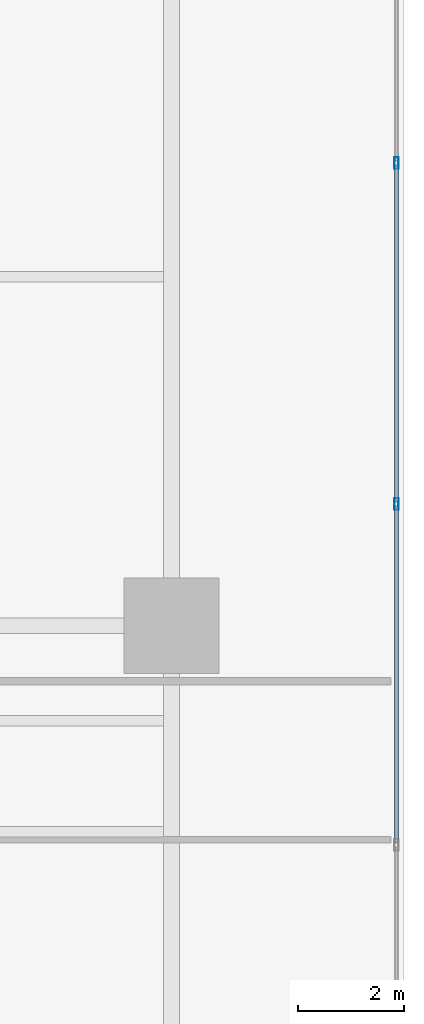
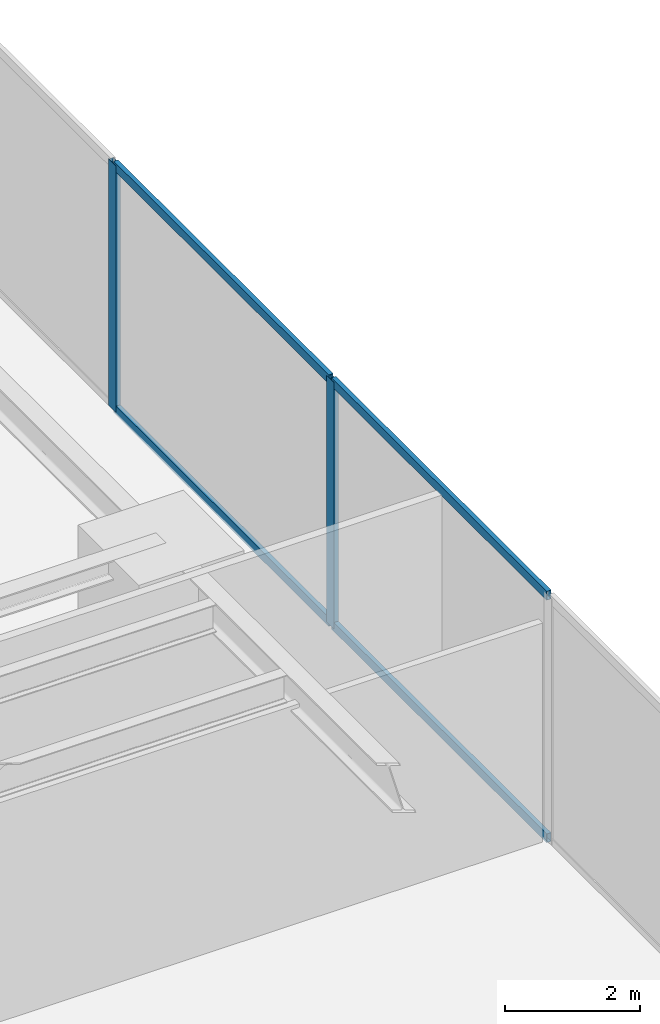
# One storey, part 9 of 16: 6 members, 1 element without a shape of its own.
"""IFC4 building model written with IfcOpenShell, lengths in metres."""

from ifc_helpers import new_model, si_unit, direction, frame, origin, origin_with_axes, origin_2d, place, context, subcontext, project, spatial, hollow_rectangle, extrude, source, transform, mapped, material, layer, layer_set, material_profile, profile_set, type_object, element, aggregate, save


model = new_model("IFC4")

# Units and contexts
model_context = context("Model", 3, precision=1e-05, world=origin(), true_north=direction((0.0, 1.0)))
body_context = subcontext(model_context, "Body", "Model", "MODEL_VIEW")
ifc_project = project(units=[si_unit("LENGTHUNIT", "METRE"), si_unit("AREAUNIT", "SQUARE_METRE"), si_unit("VOLUMEUNIT", "CUBIC_METRE"), si_unit("PLANEANGLEUNIT", "RADIAN"), si_unit("MASSUNIT", "GRAM", prefix="KILO")], contexts=[model_context])

# Site, building, storey
site_placement = place(None, origin())
site = spatial("IfcSite", under=ifc_project, at=site_placement, CompositionType="ELEMENT")
building_placement = place(site_placement, origin())
building = spatial("IfcBuilding", under=site, at=building_placement, Name="Kolvaren Waterfront Exchange", CompositionType="ELEMENT")
storey_placement = place(building_placement, frame((0.0, 0.0, 20.0)))
storey = spatial("IfcBuildingStorey", under=building, at=storey_placement, Name="L05", CompositionType="ELEMENT", Elevation=20.0)

# Curtain wall, members
ifc_material_1 = material(Name="Anodised bronze aluminium 6063-T6", Category="aluminium")
ifc_layer = layer(ifc_material_1, 0.219970703125, Name="Anodised bronze aluminium 6063-T6")
ifc_layer_set = layer_set([ifc_layer], Name="Anodised bronze aluminium 6063-T6")
curtain_wall_type = type_object("IfcCurtainWallType", Name="ARC-CW-SYS4", PredefinedType="USERDEFINED", material=ifc_layer_set)
curtain_wall_placement = place(storey_placement, origin())
curtain_wall = element("IfcCurtainWall", 1, at=curtain_wall_placement, inside=storey, type_object=curtain_wall_type, Name="L05 stick curtain wall CW4 (CW-L05-E1)", ObjectType="STICK CURTAIN WALL", PredefinedType="USERDEFINED")
ifc_material_2 = material(Name="Anodised aluminium 6063-T6", Category="aluminium")
ifc_material_profile_1 = material_profile(ifc_material_2, hollow_rectangle(XDim=0.080078125, YDim=0.219970703125, WallThickness=0.0048828125, at=origin_2d()), Name="ALU-MUL-220x80x5")
ifc_profile_set_1 = profile_set([ifc_material_profile_1], Name="Anodised aluminium 6063-T6")
member_type_1 = type_object("IfcMemberType", Name="ARC-CWM-220", PredefinedType="MULLION", material=ifc_profile_set_1)
shared_shape_1 = source(origin_with_axes(), body_context, "Body", "SweptSolid", [
    extrude(hollow_rectangle(XDim=0.080078125, YDim=0.219970703125, WallThickness=0.0048828125, at=origin_2d()), origin(), (0.0, 0.0, 1.0), 4.4599609375),
])
member_1_placement = place(storey_placement, frame((64.659912109375, 19.705078125, 0.0), z_axis=(0.0, 0.0, 1.0), x_axis=(-1.0, 0.0, 0.0)))
member_1 = element("IfcMember", 2, at=member_1_placement, type_object=member_type_1, Name="CW4 mullion 4", PredefinedType="MULLION", context=body_context, shape_type="MappedRepresentation", body=[
    mapped(shared_shape_1, transform((0.0, 0.0, 0.0), x_axis=(1.0, 0.0, 0.0), y_axis=(0.0, 1.0, 0.0), z_axis=(0.0, 0.0, 1.0), scale=1.0)),
])
member_2_placement = place(storey_placement, frame((64.659912109375, 26.15673828125, 0.0), z_axis=(0.0, 0.0, 1.0), x_axis=(-1.0, 0.0, 0.0)))
member_2 = element("IfcMember", 3, at=member_2_placement, type_object=member_type_1, Name="CW4 mullion 5", PredefinedType="MULLION", context=body_context, shape_type="MappedRepresentation", body=[
    mapped(shared_shape_1, transform((0.0, 0.0, 0.0), x_axis=(1.0, 0.0, 0.0), y_axis=(0.0, 1.0, 0.0), z_axis=(0.0, 0.0, 1.0), scale=1.0)),
])
ifc_material_profile_2 = material_profile(ifc_material_2, hollow_rectangle(XDim=0.074951171875, YDim=0.159912109375, WallThickness=0.00439453125, at=origin_2d()), Name="ALU-TRN-160x75x4.5")
ifc_profile_set_2 = profile_set([ifc_material_profile_2], Name="Anodised aluminium 6063-T6")
member_type_2 = type_object("IfcMemberType", Name="ARC-CWT-160", PredefinedType="USERDEFINED", material=ifc_profile_set_2)
shared_shape_2 = source(origin_with_axes(), body_context, "Body", "SweptSolid", [
    extrude(hollow_rectangle(XDim=0.074951171875, YDim=0.159912109375, WallThickness=0.00439453125, at=origin_2d()), origin(), (0.0, 0.0, 1.0), 6.371826171875),
])
member_3_placement = place(storey_placement, frame((64.659912109375, 13.293212890625, 0.03759765625), z_axis=(0.0, 1.0, 0.0), x_axis=(-1.0, 0.0, 0.0)))
member_3 = element("IfcMember", 4, at=member_3_placement, type_object=member_type_2, Name="CW4 transom 3.1", ObjectType="TRANSOM", PredefinedType="USERDEFINED", context=body_context, shape_type="MappedRepresentation", body=[
    mapped(shared_shape_2, transform((0.0, 0.0, 0.0), x_axis=(1.0, 0.0, 0.0), y_axis=(0.0, 1.0, 0.0), z_axis=(0.0, 0.0, 1.0), scale=1.0)),
])
member_4_placement = place(storey_placement, frame((64.659912109375, 13.293212890625, 4.422607421875), z_axis=(0.0, 1.0, 0.0), x_axis=(-1.0, 0.0, 0.0)))
member_4 = element("IfcMember", 5, at=member_4_placement, type_object=member_type_2, Name="CW4 transom 3.2", ObjectType="TRANSOM", PredefinedType="USERDEFINED", context=body_context, shape_type="MappedRepresentation", body=[
    mapped(shared_shape_2, transform((0.0, 0.0, 0.0), x_axis=(1.0, 0.0, 0.0), y_axis=(0.0, 1.0, 0.0), z_axis=(0.0, 0.0, 1.0), scale=1.0)),
])
shared_shape_3 = source(origin_with_axes(), body_context, "Body", "SweptSolid", [
    extrude(hollow_rectangle(XDim=0.074951171875, YDim=0.159912109375, WallThickness=0.00439453125, at=origin_2d()), origin(), (0.0, 0.0, 1.0), 6.37158203125),
])
member_5_placement = place(storey_placement, frame((64.659912109375, 19.7451171875, 0.03759765625), z_axis=(0.0, 1.0, 0.0), x_axis=(-1.0, 0.0, 0.0)))
member_5 = element("IfcMember", 6, at=member_5_placement, type_object=member_type_2, Name="CW4 transom 4.1", ObjectType="TRANSOM", PredefinedType="USERDEFINED", context=body_context, shape_type="MappedRepresentation", body=[
    mapped(shared_shape_3, transform((0.0, 0.0, 0.0), x_axis=(1.0, 0.0, 0.0), y_axis=(0.0, 1.0, 0.0), z_axis=(0.0, 0.0, 1.0), scale=1.0)),
])
member_6_placement = place(storey_placement, frame((64.659912109375, 19.7451171875, 4.422607421875), z_axis=(0.0, 1.0, 0.0), x_axis=(-1.0, 0.0, 0.0)))
member_6 = element("IfcMember", 7, at=member_6_placement, type_object=member_type_2, Name="CW4 transom 4.2", ObjectType="TRANSOM", PredefinedType="USERDEFINED", context=body_context, shape_type="MappedRepresentation", body=[
    mapped(shared_shape_3, transform((0.0, 0.0, 0.0), x_axis=(1.0, 0.0, 0.0), y_axis=(0.0, 1.0, 0.0), z_axis=(0.0, 0.0, 1.0), scale=1.0)),
])
aggregate(curtain_wall, [member_1, member_2, member_3, member_4, member_5, member_6])

save(model, "model.ifc")
